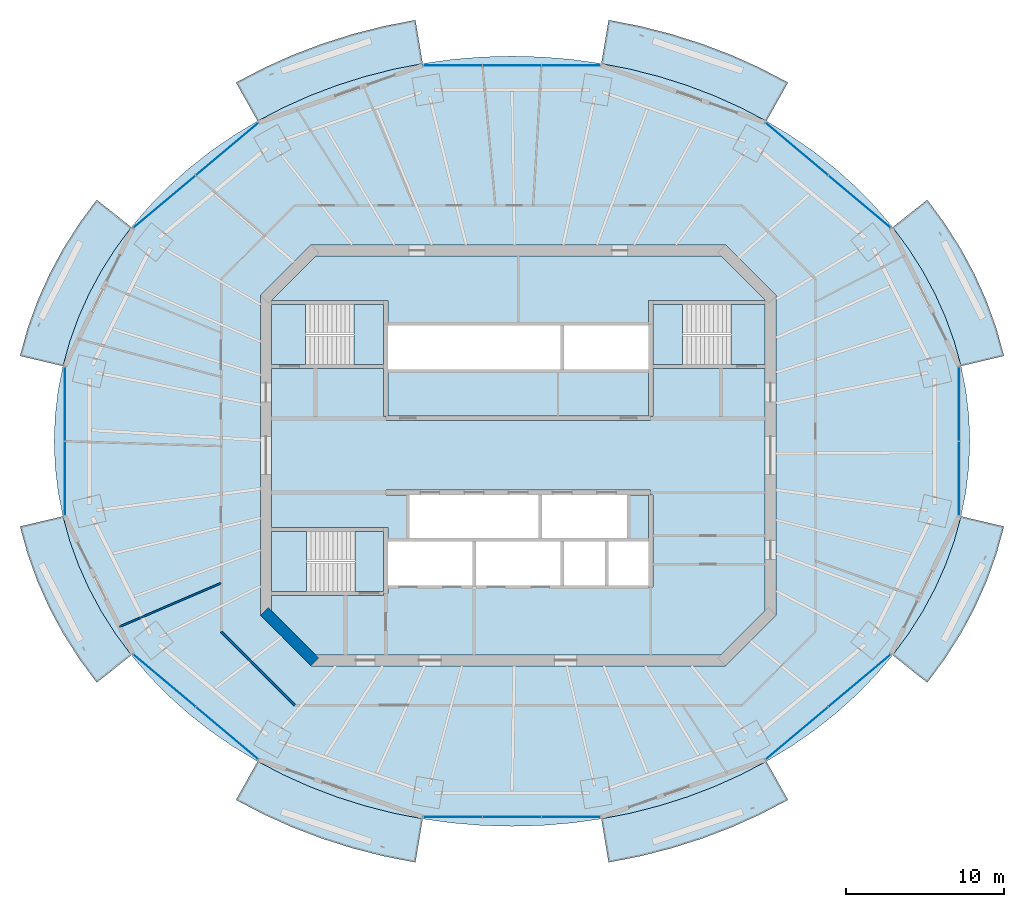
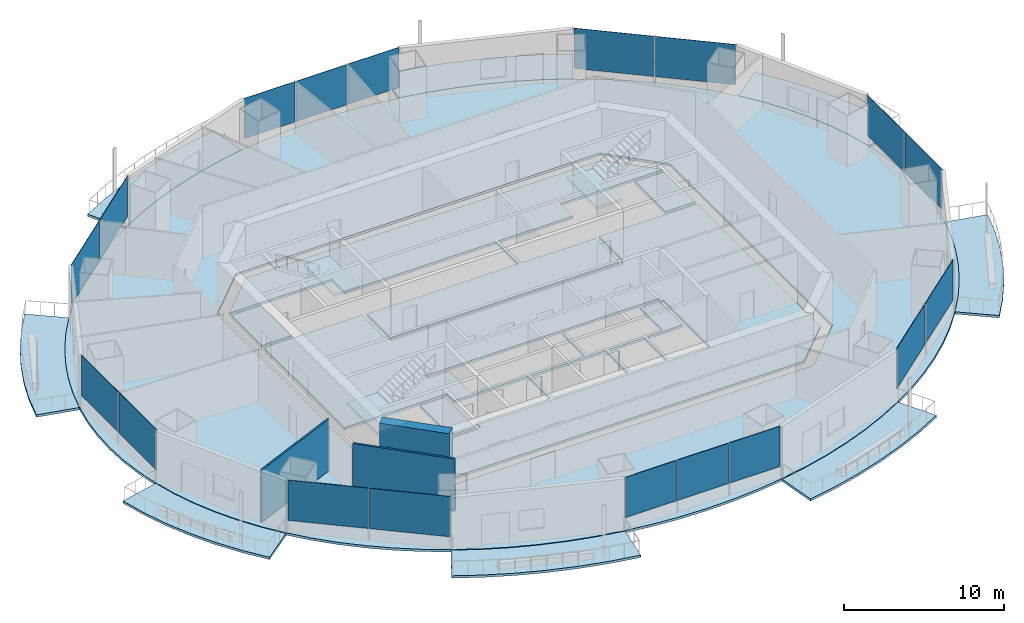
# One storey, part 7 of 16: 18 plates, 17 slabs, 3 walls, 11 elements without a shape of their own.
"""IFC4 building model written with IfcOpenShell, lengths in metres."""

from ifc_helpers import new_model, si_unit, direction, frame, frame_2d, origin, origin_2d, place, context, subcontext, project, spatial, polyline, rectangle, outline, extrude, material, layer, layer_set, type_object, element, aggregate, save


model = new_model("IFC4")

# Units and contexts
model_context = context("Model", 3, precision=1e-05, world=origin(), true_north=direction((0.0, 1.0)))
body_context = subcontext(model_context, "Body", "Model", "MODEL_VIEW")
ifc_project = project(units=[si_unit("LENGTHUNIT", "METRE"), si_unit("AREAUNIT", "SQUARE_METRE"), si_unit("VOLUMEUNIT", "CUBIC_METRE"), si_unit("PLANEANGLEUNIT", "RADIAN"), si_unit("MASSUNIT", "GRAM", prefix="KILO")], contexts=[model_context])

# Site, building, storey
site_placement = place(None, origin())
site = spatial("IfcSite", under=ifc_project, at=site_placement, CompositionType="ELEMENT")
building_placement = place(site_placement, origin())
building = spatial("IfcBuilding", under=site, at=building_placement, Name="Marenthal Gate Tower", CompositionType="ELEMENT")
storey_placement = place(building_placement, frame((0.0, 0.0, 284.5)))
storey = spatial("IfcBuildingStorey", under=building, at=storey_placement, Name="L63", CompositionType="ELEMENT", Elevation=284.5)

# Slabs
ifc_material_1 = material(Name="Concrete 40 MPa", Category="concrete")
ifc_layer_1 = layer(ifc_material_1, 0.179931640625)
ifc_layer_set_1 = layer_set([ifc_layer_1], Name="Balcony deck 180")
slab_type_1 = type_object("IfcSlabType", Name="Balcony deck 180", PredefinedType="USERDEFINED", material=ifc_layer_set_1)
slab_1_placement = place(storey_placement, frame((0.0, 0.0, -0.219970703125)))
element("IfcSlab", 1, at=slab_1_placement, inside=storey, type_object=slab_type_1, Name="Balcony deck L63 bay 1", ObjectType="BALCONY", PredefinedType="USERDEFINED", context=body_context, shape_type="SweptSolid", body=[
    extrude(outline(polyline([(28.080078125, 5.664794921875), (27.648681640625, 7.22119140625), (27.096923828125, 8.75048828125), (26.427490234375, 10.246337890625), (25.643310546875, 11.701904296875), (24.74755859375, 13.111572265625), (23.744140625, 14.46875), (25.9365234375, 16.21044921875), (27.05615234375, 14.696044921875), (28.058837890625, 13.1181640625), (28.939453125, 11.4833984375), (29.693603515625, 9.79833984375), (30.31640625, 8.071044921875), (30.804931640625, 6.30908203125), (28.080078125, 5.664794921875)])), origin(), (0.0, 0.0, 1.0), 0.179931640625),
])
slab_2_placement = place(storey_placement, frame((0.0, 0.0, -0.219970703125)))
element("IfcSlab", 2, at=slab_2_placement, inside=storey, type_object=slab_type_1, Name="Balcony deck L63 bay 3", ObjectType="BALCONY", PredefinedType="USERDEFINED", context=body_context, shape_type="SweptSolid", body=[
    extrude(outline(polyline([(15.732666015625, 21.20703125), (14.118896484375, 22.05078125), (12.443115234375, 22.80419921875), (10.71240234375, 23.4638671875), (8.93408203125, 24.02685546875), (7.115478515625, 24.49072265625), (5.264892578125, 24.853759765625), (5.72705078125, 27.615234375), (7.731201171875, 27.222412109375), (9.70263671875, 26.71923828125), (11.633544921875, 26.108154296875), (13.515869140625, 25.390625), (15.342041015625, 24.569580078125), (17.1044921875, 23.64794921875), (15.732666015625, 21.20703125)])), origin(), (0.0, 0.0, 1.0), 0.179931640625),
])
slab_3_placement = place(storey_placement, frame((0.0, 0.0, -0.219970703125)))
element("IfcSlab", 3, at=slab_3_placement, inside=storey, type_object=slab_type_1, Name="Balcony deck L63 bay 5", ObjectType="BALCONY", PredefinedType="USERDEFINED", context=body_context, shape_type="SweptSolid", body=[
    extrude(outline(polyline([(-6.06494140625, 24.853759765625), (-7.91552734375, 24.49072265625), (-9.73388671875, 24.02685546875), (-11.512451171875, 23.4638671875), (-13.2431640625, 22.80419921875), (-14.9189453125, 22.05078125), (-16.53271484375, 21.20703125), (-17.904296875, 23.64794921875), (-16.14208984375, 24.569580078125), (-14.31591796875, 25.390625), (-12.43359375, 26.108154296875), (-10.502685546875, 26.71923828125), (-8.53125, 27.222412109375), (-6.527099609375, 27.615234375), (-6.06494140625, 24.853759765625)])), origin(), (0.0, 0.0, 1.0), 0.179931640625),
])
slab_4_placement = place(storey_placement, frame((0.0, 0.0, -0.219970703125)))
element("IfcSlab", 4, at=slab_4_placement, inside=storey, type_object=slab_type_1, Name="Balcony deck L63 bay 7", ObjectType="BALCONY", PredefinedType="USERDEFINED", context=body_context, shape_type="SweptSolid", body=[
    extrude(outline(polyline([(-24.544189453125, 14.46875), (-25.547607421875, 13.111572265625), (-26.443359375, 11.701904296875), (-27.2275390625, 10.246337890625), (-27.89697265625, 8.75048828125), (-28.448486328125, 7.22119140625), (-28.8798828125, 5.664794921875), (-31.604736328125, 6.30908203125), (-31.116455078125, 8.071044921875), (-30.493408203125, 9.79833984375), (-29.739501953125, 11.4833984375), (-28.85888671875, 13.1181640625), (-27.85595703125, 14.696044921875), (-26.736572265625, 16.21044921875), (-24.544189453125, 14.46875)])), origin(), (0.0, 0.0, 1.0), 0.179931640625),
])
slab_5_placement = place(storey_placement, frame((0.0, 0.0, -0.219970703125)))
element("IfcSlab", 5, at=slab_5_placement, inside=storey, type_object=slab_type_1, Name="Balcony deck L63 bay 9", ObjectType="BALCONY", PredefinedType="USERDEFINED", context=body_context, shape_type="SweptSolid", body=[
    extrude(outline(polyline([(-28.8798828125, -3.86474609375), (-28.448486328125, -5.421142578125), (-27.89697265625, -6.950439453125), (-27.2275390625, -8.4462890625), (-26.443359375, -9.902099609375), (-25.547607421875, -11.3115234375), (-24.544189453125, -12.668701171875), (-26.736572265625, -14.410400390625), (-27.85595703125, -12.896240234375), (-28.85888671875, -11.318115234375), (-29.739501953125, -9.683349609375), (-30.493408203125, -7.99853515625), (-31.116455078125, -6.27099609375), (-31.604736328125, -4.509033203125), (-28.8798828125, -3.86474609375)])), origin(), (0.0, 0.0, 1.0), 0.179931640625),
])
slab_6_placement = place(storey_placement, frame((0.0, 0.0, -0.219970703125)))
element("IfcSlab", 6, at=slab_6_placement, inside=storey, type_object=slab_type_1, Name="Balcony deck L63 bay 11", ObjectType="BALCONY", PredefinedType="USERDEFINED", context=body_context, shape_type="SweptSolid", body=[
    extrude(outline(polyline([(-16.53271484375, -19.406982421875), (-14.9189453125, -20.2509765625), (-13.2431640625, -21.00439453125), (-11.512451171875, -21.663818359375), (-9.73388671875, -22.226806640625), (-7.91552734375, -22.69091796875), (-6.06494140625, -23.0537109375), (-6.527099609375, -25.8154296875), (-8.53125, -25.42236328125), (-10.502685546875, -24.91943359375), (-12.43359375, -24.30810546875), (-14.31591796875, -23.590576171875), (-16.14208984375, -22.76953125), (-17.904296875, -21.847900390625), (-16.53271484375, -19.406982421875)])), origin(), (0.0, 0.0, 1.0), 0.179931640625),
])
slab_7_placement = place(storey_placement, frame((0.0, 0.0, -0.219970703125)))
element("IfcSlab", 7, at=slab_7_placement, inside=storey, type_object=slab_type_1, Name="Balcony deck L63 bay 13", ObjectType="BALCONY", PredefinedType="USERDEFINED", context=body_context, shape_type="SweptSolid", body=[
    extrude(outline(polyline([(5.264892578125, -23.0537109375), (7.115478515625, -22.69091796875), (8.93408203125, -22.226806640625), (10.71240234375, -21.663818359375), (12.443115234375, -21.00439453125), (14.118896484375, -20.2509765625), (15.732666015625, -19.406982421875), (17.1044921875, -21.847900390625), (15.342041015625, -22.76953125), (13.515869140625, -23.590576171875), (11.633544921875, -24.30810546875), (9.70263671875, -24.91943359375), (7.731201171875, -25.42236328125), (5.72705078125, -25.8154296875), (5.264892578125, -23.0537109375)])), origin(), (0.0, 0.0, 1.0), 0.179931640625),
])
slab_8_placement = place(storey_placement, frame((0.0, 0.0, -0.219970703125)))
element("IfcSlab", 8, at=slab_8_placement, inside=storey, type_object=slab_type_1, Name="Balcony deck L63 bay 15", ObjectType="BALCONY", PredefinedType="USERDEFINED", context=body_context, shape_type="SweptSolid", body=[
    extrude(outline(polyline([(23.744140625, -12.668701171875), (24.74755859375, -11.3115234375), (25.643310546875, -9.902099609375), (26.427490234375, -8.4462890625), (27.096923828125, -6.950439453125), (27.648681640625, -5.421142578125), (28.080078125, -3.86474609375), (30.804931640625, -4.509033203125), (30.31640625, -6.27099609375), (29.693603515625, -7.99853515625), (28.939453125, -9.683349609375), (28.058837890625, -11.318115234375), (27.05615234375, -12.896240234375), (25.9365234375, -14.410400390625), (23.744140625, -12.668701171875)])), origin(), (0.0, 0.0, 1.0), 0.179931640625),
])
ifc_material_2 = material(Name="Concrete 50 MPa", Category="concrete")
ifc_layer_2 = layer(ifc_material_2, 0.179931640625)
ifc_layer_set_2 = layer_set([ifc_layer_2], Name="Core floor slab 180")
slab_type_2 = type_object("IfcSlabType", Name="Core floor slab 180", PredefinedType="FLOOR", material=ifc_layer_set_2)
slab_9_placement = place(storey_placement, frame((0.0, 0.0, -0.179931640625)))
element("IfcSlab", 9, at=slab_9_placement, inside=storey, type_object=slab_type_2, Name="Core floor L63", PredefinedType="FLOOR", context=body_context, shape_type="SweptSolid", body=[
    extrude(outline(polyline([(12.85498046875, -12.64990234375), (-12.85498046875, -12.64990234375), (-15.64990234375, -9.85498046875), (-15.64990234375, -8.875), (-8.550048828125, -8.875), (-8.550048828125, -8.75), (-8.25, -8.75), (-8.25, -8.239990234375), (-5.60009765625, -8.239990234375), (-2.909912109375, -8.239990234375), (-2.909912109375, -5.4599609375), (-5.60009765625, -5.4599609375), (-8.25, -5.4599609375), (-8.25, -4.574951171875), (-8.550048828125, -4.574951171875), (-15.64990234375, -4.574951171875), (-15.64990234375, 5.52490234375), (-8.550048828125, 5.52490234375), (-8.550048828125, 2.5), (-8.39990234375, 2.5), (-8.39990234375, 2.199951171875), (8.39990234375, 2.199951171875), (8.39990234375, 2.5), (8.550048828125, 2.5), (8.550048828125, 5.52490234375), (15.64990234375, 5.52490234375), (15.64990234375, -9.85498046875), (12.85498046875, -12.64990234375)]), holes=[polyline([(2.68994140625, -8.239990234375), (2.68994140625, -5.4599609375), (0.0, -5.4599609375), (-2.68994140625, -5.4599609375), (-2.68994140625, -8.239990234375), (0.0, -8.239990234375), (2.68994140625, -8.239990234375)]), polyline([(1.2900390625, -2.5), (1.510009765625, -2.5), (1.510009765625, -5.239990234375), (4.199951171875, -5.239990234375), (6.889892578125, -5.239990234375), (6.889892578125, -2.5), (8.25, -2.5), (8.25, -5.4599609375), (5.7099609375, -5.4599609375), (5.7099609375, -8.239990234375), (8.25, -8.239990234375), (8.25, -8.35009765625), (8.550048828125, -8.35009765625), (8.550048828125, -2.5), (8.39990234375, -2.5), (8.39990234375, -2.199951171875), (-8.39990234375, -2.199951171875), (-8.39990234375, -2.5), (-6.889892578125, -2.5), (-6.889892578125, -5.239990234375), (-4.199951171875, -5.239990234375), (-1.39990234375, -5.239990234375), (1.2900390625, -5.239990234375), (1.2900390625, -2.5)]), polyline([(5.489990234375, -8.239990234375), (5.489990234375, -5.4599609375), (2.909912109375, -5.4599609375), (2.909912109375, -8.239990234375), (5.489990234375, -8.239990234375)])]), origin(), (0.0, 0.0, 1.0), 0.179931640625),
])
slab_10_placement = place(storey_placement, frame((0.0, 0.0, -0.179931640625)))
element("IfcSlab", 10, at=slab_10_placement, inside=storey, type_object=slab_type_2, Name="Core floor L63", PredefinedType="FLOOR", context=body_context, shape_type="SweptSolid", body=[
    extrude(outline(polyline([(15.64990234375, 5.77490234375), (13.5, 5.77490234375), (13.5, 9.574951171875), (15.64990234375, 9.574951171875), (15.64990234375, 5.77490234375)])), origin(), (0.0, 0.0, 1.0), 0.179931640625),
])
slab_11_placement = place(storey_placement, frame((0.0, 0.0, -0.179931640625)))
element("IfcSlab", 11, at=slab_11_placement, inside=storey, type_object=slab_type_2, Name="Core floor L63", PredefinedType="FLOOR", context=body_context, shape_type="SweptSolid", body=[
    extrude(outline(polyline([(15.64990234375, 9.824951171875), (8.550048828125, 9.824951171875), (8.25, 9.824951171875), (8.25, 8.35009765625), (8.25, 8.239990234375), (5.60009765625, 8.239990234375), (2.909912109375, 8.239990234375), (2.909912109375, 5.4599609375), (5.60009765625, 5.4599609375), (8.25, 5.4599609375), (8.25, 2.5), (-8.25, 2.5), (-8.25, 5.4599609375), (-5.60009765625, 5.4599609375), (-2.800048828125, 5.4599609375), (0.0, 5.4599609375), (2.68994140625, 5.4599609375), (2.68994140625, 8.239990234375), (0.0, 8.239990234375), (-2.800048828125, 8.239990234375), (-5.60009765625, 8.239990234375), (-8.25, 8.239990234375), (-8.25, 8.35009765625), (-8.25, 9.824951171875), (-8.550048828125, 9.824951171875), (-15.64990234375, 9.824951171875), (-15.64990234375, 9.85498046875), (-12.85498046875, 12.64990234375), (12.85498046875, 12.64990234375), (15.64990234375, 9.85498046875), (15.64990234375, 9.824951171875)])), origin(), (0.0, 0.0, 1.0), 0.179931640625),
])
slab_12_placement = place(storey_placement, frame((0.0, 0.0, -0.179931640625)))
element("IfcSlab", 12, at=slab_12_placement, inside=storey, type_object=slab_type_2, Name="Core floor L63", PredefinedType="FLOOR", context=body_context, shape_type="SweptSolid", body=[
    extrude(outline(polyline([(-15.64990234375, 9.574951171875), (-13.5, 9.574951171875), (-13.5, 5.77490234375), (-15.64990234375, 5.77490234375), (-15.64990234375, 9.574951171875)])), origin(), (0.0, 0.0, 1.0), 0.179931640625),
])
slab_13_placement = place(storey_placement, frame((0.0, 0.0, -0.179931640625)))
element("IfcSlab", 13, at=slab_13_placement, inside=storey, type_object=slab_type_2, Name="Core floor L63", PredefinedType="FLOOR", context=body_context, shape_type="SweptSolid", body=[
    extrude(outline(polyline([(-8.550048828125, -8.625), (-10.35009765625, -8.625), (-10.35009765625, -4.824951171875), (-8.550048828125, -4.824951171875), (-8.550048828125, -8.625)])), origin(), (0.0, 0.0, 1.0), 0.179931640625),
])
ifc_material_3 = material(Name="Concrete 35 MPa", Category="concrete")
ifc_layer_3 = layer(ifc_material_3, 0.179931640625)
ifc_layer_set_3 = layer_set([ifc_layer_3], Name="Floor slab 180")
slab_type_3 = type_object("IfcSlabType", Name="Floor slab 180", PredefinedType="FLOOR", material=ifc_layer_set_3)
slab_14_placement = place(storey_placement, frame((0.0, 0.0, -0.179931640625)))
element("IfcSlab", 14, at=slab_14_placement, inside=storey, type_object=slab_type_3, Name="SL-L63-01", PredefinedType="FLOOR", context=body_context, shape_type="SweptSolid", body=[
    extrude(outline(polyline([(28.637939453125, 0.89990234375), (28.57568359375, 2.497314453125), (28.3896484375, 4.087890625), (28.080078125, 5.664794921875), (27.648681640625, 7.22119140625), (27.096923828125, 8.75048828125), (26.427490234375, 10.246337890625), (25.643310546875, 11.701904296875), (24.74755859375, 13.111572265625), (23.744140625, 14.46875), (22.637451171875, 15.767822265625), (21.431884765625, 17.003173828125), (20.133056640625, 18.169677734375), (18.74609375, 19.26220703125), (17.277099609375, 20.276123046875), (15.732666015625, 21.20703125), (14.118896484375, 22.05078125), (12.443115234375, 22.80419921875), (10.71240234375, 23.4638671875), (8.93408203125, 24.02685546875), (7.115478515625, 24.49072265625), (5.264892578125, 24.853759765625), (3.39013671875, 25.114013671875), (1.499267578125, 25.270751953125), (-0.39990234375, 25.322998046875), (-2.29931640625, 25.270751953125), (-4.190185546875, 25.114013671875), (-6.06494140625, 24.853759765625), (-7.91552734375, 24.49072265625), (-9.73388671875, 24.02685546875), (-11.512451171875, 23.4638671875), (-13.2431640625, 22.80419921875), (-14.9189453125, 22.05078125), (-16.53271484375, 21.20703125), (-18.0771484375, 20.276123046875), (-19.546142578125, 19.26220703125), (-20.93310546875, 18.169677734375), (-22.23193359375, 17.003173828125), (-23.4375, 15.767822265625), (-24.544189453125, 14.46875), (-25.547607421875, 13.111572265625), (-26.443359375, 11.701904296875), (-27.2275390625, 10.246337890625), (-27.89697265625, 8.75048828125), (-28.448486328125, 7.22119140625), (-28.8798828125, 5.664794921875), (-29.189697265625, 4.087890625), (-29.375732421875, 2.497314453125), (-29.43798828125, 0.89990234375), (-29.375732421875, -0.697265625), (-29.189697265625, -2.287841796875), (-28.8798828125, -3.86474609375), (-28.448486328125, -5.421142578125), (-27.89697265625, -6.950439453125), (-27.2275390625, -8.4462890625), (-26.443359375, -9.902099609375), (-25.547607421875, -11.3115234375), (-24.544189453125, -12.668701171875), (-23.4375, -13.9677734375), (-22.23193359375, -15.203125), (-20.93310546875, -16.36962890625), (-19.546142578125, -17.462158203125), (-18.0771484375, -18.47607421875), (-16.53271484375, -19.406982421875), (-14.9189453125, -20.2509765625), (-13.2431640625, -21.00439453125), (-11.512451171875, -21.663818359375), (-9.73388671875, -22.226806640625), (-7.91552734375, -22.69091796875), (-6.06494140625, -23.0537109375), (-4.190185546875, -23.314208984375), (-2.29931640625, -23.470703125), (-0.39990234375, -23.52294921875), (1.499267578125, -23.470703125), (3.39013671875, -23.314208984375), (5.264892578125, -23.0537109375), (7.115478515625, -22.69091796875), (8.93408203125, -22.226806640625), (10.71240234375, -21.663818359375), (12.443115234375, -21.00439453125), (14.118896484375, -20.2509765625), (15.732666015625, -19.406982421875), (17.277099609375, -18.47607421875), (18.74609375, -17.462158203125), (20.133056640625, -16.36962890625), (21.431884765625, -15.203125), (22.637451171875, -13.9677734375), (23.744140625, -12.668701171875), (24.74755859375, -11.3115234375), (25.643310546875, -9.902099609375), (26.427490234375, -8.4462890625), (27.096923828125, -6.950439453125), (27.648681640625, -5.421142578125), (28.080078125, -3.86474609375), (28.3896484375, -2.287841796875), (28.57568359375, -0.697265625), (28.637939453125, 0.89990234375)]), holes=[polyline([(13.14501953125, -13.35009765625), (16.35009765625, -10.14501953125), (16.35009765625, 10.14501953125), (13.14501953125, 13.35009765625), (-13.14501953125, 13.35009765625), (-16.35009765625, 10.14501953125), (-16.35009765625, -10.14501953125), (-13.14501953125, -13.35009765625), (13.14501953125, -13.35009765625)])]), origin(), (0.0, 0.0, 1.0), 0.179931640625),
])

# Curtain wall, plates
ifc_material_4 = material(Name="Aluminium and glass", Category="aluminium")
curtain_wall_type = type_object("IfcCurtainWallType", Name="Curtain wall typical high", PredefinedType="NOTDEFINED", material=ifc_material_4)
curtain_wall_1_placement = place(storey_placement, origin())
curtain_wall_1 = element("IfcCurtainWall", 15, at=curtain_wall_1_placement, inside=storey, type_object=curtain_wall_type, Name="Curtain wall L63 bay 2", PredefinedType="NOTDEFINED")
ifc_material_5 = material(Name="Glass, laminated insulating unit", Category="glass")
ifc_layer_4 = layer(ifc_material_5, 0.031982421875)
ifc_layer_set_4 = layer_set([ifc_layer_4], Name="Glass panel 32 typical high")
plate_type = type_object("IfcPlateType", Name="Glass panel 32 typical high", PredefinedType="CURTAIN_PANEL", material=ifc_layer_set_4)
plate_1_placement = place(storey_placement, frame((21.638427734375, 16.087890625, 0.89990234375), z_axis=(0.0, 0.0, 1.0), x_axis=(-0.76554681722, 0.643380191367, 0.0)))
plate_1 = element("IfcPlate", 16, at=plate_1_placement, type_object=plate_type, Name="Glass panel L63 bay 2.1", PredefinedType="CURTAIN_PANEL", context=body_context, shape_type="SweptSolid", body=[
    extrude(rectangle(XDim=5.120849609375, YDim=0.031982421875, at=origin_2d()), origin(), (0.0, 0.0, 1.0), 3.070068359375),
])
plate_2_placement = place(storey_placement, frame((17.672119140625, 19.421142578125, 0.89990234375), z_axis=(0.0, 0.0, 1.0), x_axis=(-0.76554681722, 0.643380191367, 0.0)))
plate_2 = element("IfcPlate", 17, at=plate_2_placement, type_object=plate_type, Name="Glass panel L63 bay 2.2", PredefinedType="CURTAIN_PANEL", context=body_context, shape_type="SweptSolid", body=[
    extrude(rectangle(XDim=5.120849609375, YDim=0.031982421875, at=origin_2d()), origin(), (0.0, 0.0, 1.0), 3.070068359375),
])
aggregate(curtain_wall_1, [plate_1, plate_2])

curtain_wall_2_placement = place(storey_placement, origin())
curtain_wall_2 = element("IfcCurtainWall", 18, at=curtain_wall_2_placement, inside=storey, type_object=curtain_wall_type, Name="Curtain wall L63 bay 4", PredefinedType="NOTDEFINED")
plate_3_placement = place(storey_placement, frame((3.341064453125, 24.736083984375, 0.89990234375), z_axis=(0.0, 0.0, 1.0), x_axis=(-1.0, 0.0, 0.0)))
plate_3 = element("IfcPlate", 19, at=plate_3_placement, type_object=plate_type, Name="Glass panel L63 bay 4.1", PredefinedType="CURTAIN_PANEL", context=body_context, shape_type="SweptSolid", body=[
    extrude(rectangle(XDim=3.68115234375, YDim=0.031982421875, at=origin_2d()), origin(), (0.0, 0.0, 1.0), 3.070068359375),
])
plate_4_placement = place(storey_placement, frame((-0.39990234375, 24.736083984375, 0.89990234375), z_axis=(0.0, 0.0, 1.0), x_axis=(-1.0, 0.0, 0.0)))
plate_4 = element("IfcPlate", 20, at=plate_4_placement, type_object=plate_type, Name="Glass panel L63 bay 4.2", PredefinedType="CURTAIN_PANEL", context=body_context, shape_type="SweptSolid", body=[
    extrude(rectangle(XDim=3.680908203125, YDim=0.031982421875, at=origin_2d()), origin(), (0.0, 0.0, 1.0), 3.070068359375),
])
plate_5_placement = place(storey_placement, frame((-4.14111328125, 24.736083984375, 0.89990234375), z_axis=(0.0, 0.0, 1.0), x_axis=(-1.0, 0.0, 0.0)))
plate_5 = element("IfcPlate", 21, at=plate_5_placement, type_object=plate_type, Name="Glass panel L63 bay 4.3", PredefinedType="CURTAIN_PANEL", context=body_context, shape_type="SweptSolid", body=[
    extrude(rectangle(XDim=3.68115234375, YDim=0.031982421875, at=origin_2d()), origin(), (0.0, 0.0, 1.0), 3.070068359375),
])
aggregate(curtain_wall_2, [plate_3, plate_4, plate_5])

curtain_wall_3_placement = place(storey_placement, origin())
curtain_wall_3 = element("IfcCurtainWall", 22, at=curtain_wall_3_placement, inside=storey, type_object=curtain_wall_type, Name="Curtain wall L63 bay 6", PredefinedType="NOTDEFINED")
plate_6_placement = place(storey_placement, frame((-18.47216796875, 19.421142578125, 0.89990234375), z_axis=(0.0, 0.0, 1.0), x_axis=(-0.76554681722, -0.643380191367, 0.0)))
plate_6 = element("IfcPlate", 23, at=plate_6_placement, type_object=plate_type, Name="Glass panel L63 bay 6.1", PredefinedType="CURTAIN_PANEL", context=body_context, shape_type="SweptSolid", body=[
    extrude(rectangle(XDim=5.120849609375, YDim=0.031982421875, at=origin_2d()), origin(), (0.0, 0.0, 1.0), 3.070068359375),
])
plate_7_placement = place(storey_placement, frame((-22.438232421875, 16.087890625, 0.89990234375), z_axis=(0.0, 0.0, 1.0), x_axis=(-0.76554681722, -0.643380191367, 0.0)))
plate_7 = element("IfcPlate", 24, at=plate_7_placement, type_object=plate_type, Name="Glass panel L63 bay 6.2", PredefinedType="CURTAIN_PANEL", context=body_context, shape_type="SweptSolid", body=[
    extrude(rectangle(XDim=5.120849609375, YDim=0.031982421875, at=origin_2d()), origin(), (0.0, 0.0, 1.0), 3.070068359375),
])
aggregate(curtain_wall_3, [plate_6, plate_7])

curtain_wall_4_placement = place(storey_placement, origin())
curtain_wall_4 = element("IfcCurtainWall", 25, at=curtain_wall_4_placement, inside=storey, type_object=curtain_wall_type, Name="Curtain wall L63 bay 8", PredefinedType="NOTDEFINED")
plate_8_placement = place(storey_placement, frame((-28.76220703125, 3.255615234375, 0.89990234375), z_axis=(0.0, 0.0, 1.0), x_axis=(0.0, -1.0, 0.0)))
plate_8 = element("IfcPlate", 26, at=plate_8_placement, type_object=plate_type, Name="Glass panel L63 bay 8.1", PredefinedType="CURTAIN_PANEL", context=body_context, shape_type="SweptSolid", body=[
    extrude(rectangle(XDim=4.6513671875, YDim=0.031982421875, at=origin_2d()), origin(), (0.0, 0.0, 1.0), 3.070068359375),
])
plate_9_placement = place(storey_placement, frame((-28.76220703125, -1.45556640625, 0.89990234375), z_axis=(0.0, 0.0, 1.0), x_axis=(0.0, -1.0, 0.0)))
plate_9 = element("IfcPlate", 27, at=plate_9_placement, type_object=plate_type, Name="Glass panel L63 bay 8.2", PredefinedType="CURTAIN_PANEL", context=body_context, shape_type="SweptSolid", body=[
    extrude(rectangle(XDim=4.6513671875, YDim=0.031982421875, at=origin_2d()), origin(), (0.0, 0.0, 1.0), 3.070068359375),
])
aggregate(curtain_wall_4, [plate_8, plate_9])

curtain_wall_5_placement = place(storey_placement, origin())
curtain_wall_5 = element("IfcCurtainWall", 28, at=curtain_wall_5_placement, inside=storey, type_object=curtain_wall_type, Name="Curtain wall L63 bay 10", PredefinedType="NOTDEFINED")
plate_10_placement = place(storey_placement, frame((-22.438232421875, -14.287841796875, 0.89990234375), z_axis=(0.0, 0.0, 1.0), x_axis=(0.76554681722, -0.643380191367, 0.0)))
plate_10 = element("IfcPlate", 29, at=plate_10_placement, type_object=plate_type, Name="Glass panel L63 bay 10.1", PredefinedType="CURTAIN_PANEL", context=body_context, shape_type="SweptSolid", body=[
    extrude(rectangle(XDim=5.120849609375, YDim=0.031982421875, at=origin_2d()), origin(), (0.0, 0.0, 1.0), 3.070068359375),
])
plate_11_placement = place(storey_placement, frame((-18.47216796875, -17.621337890625, 0.89990234375), z_axis=(0.0, 0.0, 1.0), x_axis=(0.76554681722, -0.643380191367, 0.0)))
plate_11 = element("IfcPlate", 30, at=plate_11_placement, type_object=plate_type, Name="Glass panel L63 bay 10.2", PredefinedType="CURTAIN_PANEL", context=body_context, shape_type="SweptSolid", body=[
    extrude(rectangle(XDim=5.120849609375, YDim=0.031982421875, at=origin_2d()), origin(), (0.0, 0.0, 1.0), 3.070068359375),
])
aggregate(curtain_wall_5, [plate_10, plate_11])

curtain_wall_6_placement = place(storey_placement, origin())
curtain_wall_6 = element("IfcCurtainWall", 31, at=curtain_wall_6_placement, inside=storey, type_object=curtain_wall_type, Name="Curtain wall L63 bay 12", PredefinedType="NOTDEFINED")
plate_12_placement = place(storey_placement, frame((-4.14111328125, -22.93603515625, 0.89990234375), z_axis=(0.0, 0.0, 1.0), x_axis=(1.0, 0.0, 0.0)))
plate_12 = element("IfcPlate", 32, at=plate_12_placement, type_object=plate_type, Name="Glass panel L63 bay 12.1", PredefinedType="CURTAIN_PANEL", context=body_context, shape_type="SweptSolid", body=[
    extrude(rectangle(XDim=3.68115234375, YDim=0.031982421875, at=origin_2d()), origin(), (0.0, 0.0, 1.0), 3.070068359375),
])
plate_13_placement = place(storey_placement, frame((-0.39990234375, -22.93603515625, 0.89990234375), z_axis=(0.0, 0.0, 1.0), x_axis=(1.0, 0.0, 0.0)))
plate_13 = element("IfcPlate", 33, at=plate_13_placement, type_object=plate_type, Name="Glass panel L63 bay 12.2", PredefinedType="CURTAIN_PANEL", context=body_context, shape_type="SweptSolid", body=[
    extrude(rectangle(XDim=3.680908203125, YDim=0.031982421875, at=origin_2d()), origin(), (0.0, 0.0, 1.0), 3.070068359375),
])
plate_14_placement = place(storey_placement, frame((3.341064453125, -22.93603515625, 0.89990234375), z_axis=(0.0, 0.0, 1.0), x_axis=(1.0, 0.0, 0.0)))
plate_14 = element("IfcPlate", 34, at=plate_14_placement, type_object=plate_type, Name="Glass panel L63 bay 12.3", PredefinedType="CURTAIN_PANEL", context=body_context, shape_type="SweptSolid", body=[
    extrude(rectangle(XDim=3.68115234375, YDim=0.031982421875, at=origin_2d()), origin(), (0.0, 0.0, 1.0), 3.070068359375),
])
aggregate(curtain_wall_6, [plate_12, plate_13, plate_14])

curtain_wall_7_placement = place(storey_placement, origin())
curtain_wall_7 = element("IfcCurtainWall", 35, at=curtain_wall_7_placement, inside=storey, type_object=curtain_wall_type, Name="Curtain wall L63 bay 14", PredefinedType="NOTDEFINED")
plate_15_placement = place(storey_placement, frame((17.672119140625, -17.621337890625, 0.89990234375), z_axis=(0.0, 0.0, 1.0), x_axis=(0.76554681722, 0.643380191367, 0.0)))
plate_15 = element("IfcPlate", 36, at=plate_15_placement, type_object=plate_type, Name="Glass panel L63 bay 14.1", PredefinedType="CURTAIN_PANEL", context=body_context, shape_type="SweptSolid", body=[
    extrude(rectangle(XDim=5.120849609375, YDim=0.031982421875, at=origin_2d()), origin(), (0.0, 0.0, 1.0), 3.070068359375),
])
plate_16_placement = place(storey_placement, frame((21.63818359375, -14.2880859375, 0.89990234375), z_axis=(0.0, 0.0, 1.0), x_axis=(0.76554681722, 0.643380191367, 0.0)))
plate_16 = element("IfcPlate", 37, at=plate_16_placement, type_object=plate_type, Name="Glass panel L63 bay 14.2", PredefinedType="CURTAIN_PANEL", context=body_context, shape_type="SweptSolid", body=[
    extrude(rectangle(XDim=5.120849609375, YDim=0.031982421875, at=origin_2d()), origin(), (0.0, 0.0, 1.0), 3.070068359375),
])
aggregate(curtain_wall_7, [plate_15, plate_16])

curtain_wall_8_placement = place(storey_placement, origin())
curtain_wall_8 = element("IfcCurtainWall", 38, at=curtain_wall_8_placement, inside=storey, type_object=curtain_wall_type, Name="Curtain wall L63 bay 16", PredefinedType="NOTDEFINED")
plate_17_placement = place(storey_placement, frame((27.96240234375, -1.45556640625, 0.89990234375), z_axis=(0.0, 0.0, 1.0), x_axis=(0.0, 1.0, 0.0)))
plate_17 = element("IfcPlate", 39, at=plate_17_placement, type_object=plate_type, Name="Glass panel L63 bay 16.1", PredefinedType="CURTAIN_PANEL", context=body_context, shape_type="SweptSolid", body=[
    extrude(rectangle(XDim=4.6513671875, YDim=0.031982421875, at=origin_2d()), origin(), (0.0, 0.0, 1.0), 3.070068359375),
])
plate_18_placement = place(storey_placement, frame((27.96240234375, 3.255615234375, 0.89990234375), z_axis=(0.0, 0.0, 1.0), x_axis=(0.0, 1.0, 0.0)))
plate_18 = element("IfcPlate", 40, at=plate_18_placement, type_object=plate_type, Name="Glass panel L63 bay 16.2", PredefinedType="CURTAIN_PANEL", context=body_context, shape_type="SweptSolid", body=[
    extrude(rectangle(XDim=4.6513671875, YDim=0.031982421875, at=origin_2d()), origin(), (0.0, 0.0, 1.0), 3.070068359375),
])
aggregate(curtain_wall_8, [plate_17, plate_18])

# Stair, slab
ifc_material_6 = material(Name="Concrete 40 MPa", Category="concrete")
stair_type = type_object("IfcStairType", Name="Exit stair 1800", PredefinedType="HALF_TURN_STAIR", material=ifc_material_6)
stair_1_placement = place(storey_placement, origin())
stair_1 = element("IfcStair", 41, at=stair_1_placement, inside=storey, type_object=stair_type, Name="Stair ST1", PredefinedType="HALF_TURN_STAIR")
ifc_material_7 = material(Name="Concrete 40 MPa", Category="concrete")
ifc_layer_5 = layer(ifc_material_7, 0.199951171875)
ifc_layer_set_5 = layer_set([ifc_layer_5], Name="Stair landing 200")
slab_type_4 = type_object("IfcSlabType", Name="Stair landing 200", PredefinedType="LANDING", material=ifc_layer_set_5)
slab_15_placement = place(storey_placement, frame((0.0, 0.0, 1.875)))
slab_15 = element("IfcSlab", 42, at=slab_15_placement, type_object=slab_type_4, Name="ST1 landing 1", PredefinedType="LANDING", context=body_context, shape_type="SweptSolid", body=[
    extrude(outline(polyline([(-10.419921875, 5.77490234375), (-8.550048828125, 5.77490234375), (-8.550048828125, 9.574951171875), (-10.419921875, 9.574951171875), (-10.419921875, 5.77490234375)])), origin(), (0.0, 0.0, 1.0), 0.199951171875),
])
aggregate(stair_1, [slab_15])

stair_2_placement = place(storey_placement, origin())
stair_2 = element("IfcStair", 43, at=stair_2_placement, inside=storey, type_object=stair_type, Name="Stair ST2", PredefinedType="HALF_TURN_STAIR")
slab_16_placement = place(storey_placement, frame((0.0, 0.0, 1.875)))
slab_16 = element("IfcSlab", 44, at=slab_16_placement, type_object=slab_type_4, Name="ST2 landing 1", PredefinedType="LANDING", context=body_context, shape_type="SweptSolid", body=[
    extrude(outline(polyline([(-15.64990234375, -8.625), (-13.429931640625, -8.625), (-13.429931640625, -4.824951171875), (-15.64990234375, -4.824951171875), (-15.64990234375, -8.625)])), origin(), (0.0, 0.0, 1.0), 0.199951171875),
])
aggregate(stair_2, [slab_16])

stair_3_placement = place(storey_placement, origin())
stair_3 = element("IfcStair", 45, at=stair_3_placement, inside=storey, type_object=stair_type, Name="Stair ST3", PredefinedType="HALF_TURN_STAIR")
slab_17_placement = place(storey_placement, frame((0.0, 0.0, 1.875)))
slab_17 = element("IfcSlab", 46, at=slab_17_placement, type_object=slab_type_4, Name="ST3 landing 1", PredefinedType="LANDING", context=body_context, shape_type="SweptSolid", body=[
    extrude(outline(polyline([(8.550048828125, 5.77490234375), (10.419921875, 5.77490234375), (10.419921875, 9.574951171875), (8.550048828125, 9.574951171875), (8.550048828125, 5.77490234375)])), origin(), (0.0, 0.0, 1.0), 0.199951171875),
])
aggregate(stair_3, [slab_17])

# Walls
ifc_material_8 = material(Name="Concrete 60 MPa", Category="concrete")
ifc_layer_6 = layer(ifc_material_8, 0.699951171875)
ifc_layer_set_6 = layer_set([ifc_layer_6], Name="Core shear wall 700")
wall_type_1 = type_object("IfcWallType", Name="Core shear wall 700", PredefinedType="SHEAR", material=ifc_layer_set_6)
wall_1_placement = place(storey_placement, frame((-16.1025390625, -9.8974609375, -0.179931640625), z_axis=(0.0, 0.0, 1.0), x_axis=(0.707106781187, -0.707106781187, 0.0)))
element("IfcWall", 47, at=wall_1_placement, inside=storey, type_object=wall_type_1, Name="Core wall 07", PredefinedType="SHEAR", context=body_context, shape_type="SweptSolid", body=[
    extrude(rectangle(XDim=4.53271484375, YDim=0.699951171875, at=frame_2d((2.266357421875, 0.0))), origin(), (0.0, 0.0, 1.0), 4.14990234375),
])
ifc_material_9 = material(Name="Gypsum board on steel studs", Category="steel")
ifc_layer_7 = layer(ifc_material_9, 0.1201171875)
ifc_layer_set_7 = layer_set([ifc_layer_7], Name="Partition 120")
wall_type_2 = type_object("IfcWallType", Name="Partition 120", PredefinedType="PARTITIONING", material=ifc_layer_set_7)
wall_2_placement = place(storey_placement, frame((-18.85009765625, -8.097412109375, 0.0), z_axis=(0.0, 0.0, 1.0), x_axis=(-0.918819078181, -0.394678985468, 0.0)))
element("IfcWall", 48, at=wall_2_placement, inside=storey, type_object=wall_type_2, Name="Partition wall 50", PredefinedType="PARTITIONING", context=body_context, shape_type="SweptSolid", body=[
    extrude(rectangle(XDim=7.01904296875, YDim=0.1201171875, at=frame_2d((3.509521484375, 0.0))), origin(), (0.0, 0.0, 1.0), 3.969970703125),
])
ifc_material_10 = material(Name="Gypsum board on steel studs", Category="steel")
ifc_layer_8 = layer(ifc_material_10, 0.14990234375)
ifc_layer_set_8 = layer_set([ifc_layer_8], Name="Partition 150")
wall_type_3 = type_object("IfcWallType", Name="Partition 150", PredefinedType="PARTITIONING", material=ifc_layer_set_8)
wall_3_placement = place(storey_placement, frame((-14.180419921875, -15.85009765625, 0.0), z_axis=(0.0, 0.0, 1.0), x_axis=(-0.707106781187, 0.707106781187, 0.0)))
element("IfcWall", 49, at=wall_3_placement, inside=storey, type_object=wall_type_3, Name="Partition wall 56", PredefinedType="PARTITIONING", context=body_context, shape_type="SweptSolid", body=[
    extrude(rectangle(XDim=6.60400390625, YDim=0.14990234375, at=frame_2d((3.302001953125, 0.0))), origin(), (0.0, 0.0, 1.0), 3.969970703125),
])

save(model, "model.ifc")
